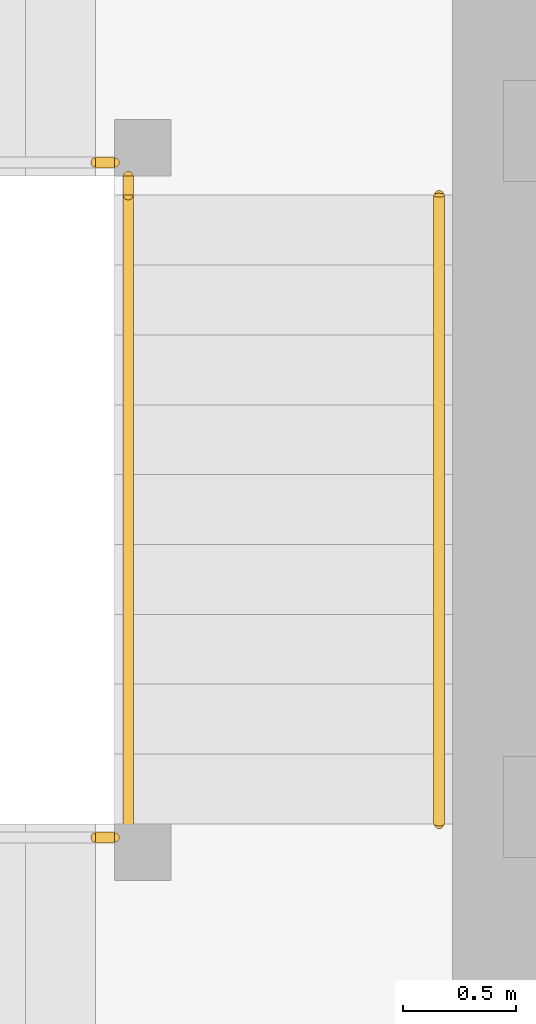
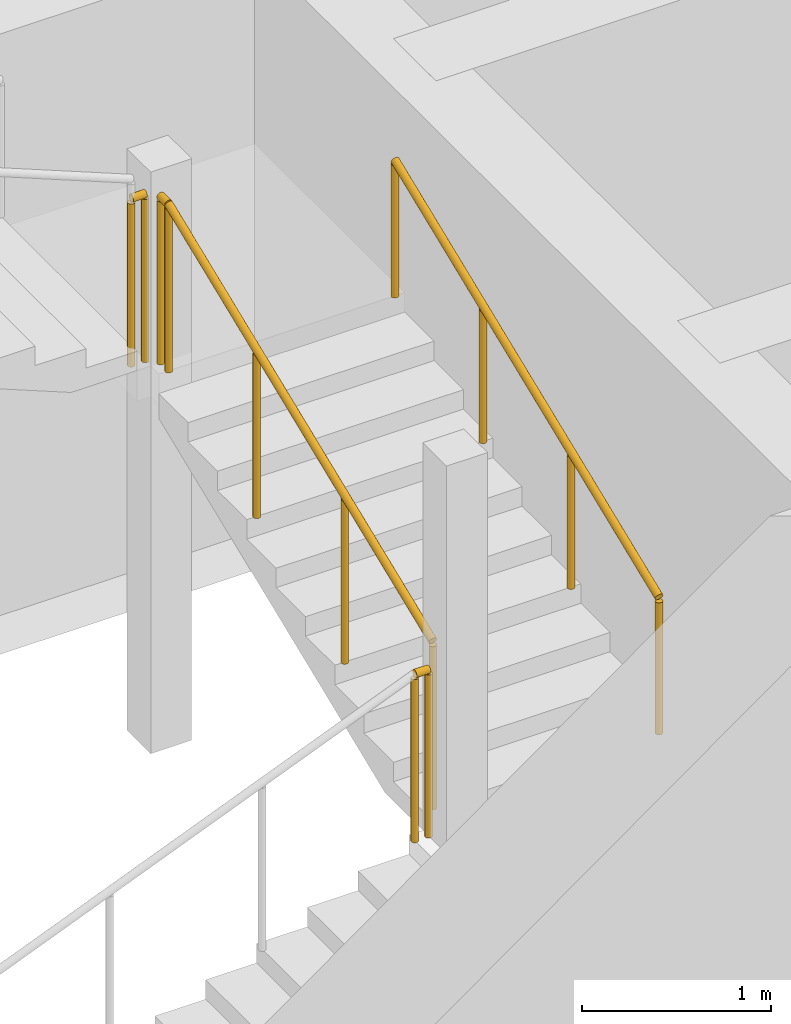
# One storey, part 31 of 36: 5 railings.
"""IFC4 building model written with IfcOpenShell, lengths in metres."""

from ifc_helpers import new_model, si_unit, direction, frame, origin, origin_2d, place, context, subcontext, project, spatial, circle, extrude, material, type_object, element, save


model = new_model("IFC4")

# Units and contexts
model_context = context("Model", 3, precision=1e-05, world=origin(), true_north=direction((0.0, 1.0)))
body_context = subcontext(model_context, "Body", "Model", "MODEL_VIEW")
ifc_project = project(units=[si_unit("LENGTHUNIT", "METRE"), si_unit("AREAUNIT", "SQUARE_METRE"), si_unit("VOLUMEUNIT", "CUBIC_METRE"), si_unit("PLANEANGLEUNIT", "RADIAN"), si_unit("MASSUNIT", "GRAM", prefix="KILO")], contexts=[model_context])

# Site, building, storey
site_placement = place(None, origin())
site = spatial("IfcSite", under=ifc_project, at=site_placement, CompositionType="ELEMENT")
building_placement = place(site_placement, origin())
building = spatial("IfcBuilding", under=site, at=building_placement, Name="Rekha Terrace Tower", CompositionType="ELEMENT")
storey_placement = place(building_placement, frame((0.0, 0.0, 172.699951171875)))
storey = spatial("IfcBuildingStorey", under=building, at=storey_placement, Name="L43", CompositionType="ELEMENT", Elevation=172.699951171875)

# Railings
ifc_material_1 = material(Name="Stainless steel balustrade", Category="steel")
railing_type_1 = type_object("IfcRailingType", Name="GR1 1100 stair guard", PredefinedType="GUARDRAIL", material=ifc_material_1)
railing_1_placement = place(storey_placement, frame((30.135009765625, 41.324951171875, 1.375)))
element("IfcRailing", 1, at=railing_1_placement, inside=storey, type_object=railing_type_1, Name="Guard ST4 L43 flight 2", PredefinedType="GUARDRAIL", context=body_context, shape_type="SweptSolid", body=[
    extrude(circle(Radius=0.02392578125, at=origin_2d()), frame((0.0, 0.0, 1.076171875), z_axis=(0.0, 0.927443287984, 0.373963831907), x_axis=(-1.0, 0.0, 0.0)), (0.0, 0.0, 1.0), 3.00830078125),
    extrude(circle(Radius=0.02099609375, at=origin_2d()), origin(), (0.0, 0.0, 1.0), 1.052001953125),
    extrude(circle(Radius=0.02099609375, at=origin_2d()), frame((0.0, 0.929931640625, 0.375)), (0.0, 0.0, 1.0), 1.052001953125),
    extrude(circle(Radius=0.02099609375, at=origin_2d()), frame((0.0, 1.860107421875, 0.75)), (0.0, 0.0, 1.0), 1.052001953125),
    extrude(circle(Radius=0.02099609375, at=origin_2d()), frame((0.0, 2.7900390625, 1.125)), (0.0, 0.0, 1.0), 1.052001953125),
])
railing_2_placement = place(storey_placement, frame((29.989990234375, 41.264892578125, 1.25)))
element("IfcRailing", 2, at=railing_2_placement, inside=storey, type_object=railing_type_1, Name="Guard ST4 L43 landing 1", PredefinedType="GUARDRAIL", context=body_context, shape_type="SweptSolid", body=[
    extrude(circle(Radius=0.02392578125, at=origin_2d()), frame((0.0, 0.0, 1.076171875), z_axis=(1.0, 0.0, 0.0), x_axis=(0.0, 1.0, 0.0)), (0.0, 0.0, 1.0), 0.0849609375),
    extrude(circle(Radius=0.02099609375, at=origin_2d()), origin(), (0.0, 0.0, 1.0), 1.052001953125),
    extrude(circle(Radius=0.02099609375, at=origin_2d()), frame((0.0849609375, 0.0, 0.0)), (0.0, 0.0, 1.0), 1.052001953125),
])
railing_3_placement = place(storey_placement, frame((30.135009765625, 44.114990234375, 2.5)))
element("IfcRailing", 3, at=railing_3_placement, inside=storey, type_object=railing_type_1, Name="Guard ST4 L43 landing 2", PredefinedType="GUARDRAIL", context=body_context, shape_type="SweptSolid", body=[
    extrude(circle(Radius=0.02392578125, at=origin_2d()), frame((0.0, 0.0, 1.076171875), z_axis=(0.0, 1.0, 0.0), x_axis=(-1.0, 0.0, 0.0)), (0.0, 0.0, 1.0), 0.0849609375),
    extrude(circle(Radius=0.02099609375, at=origin_2d()), origin(), (0.0, 0.0, 1.0), 1.052001953125),
    extrude(circle(Radius=0.02099609375, at=origin_2d()), frame((0.0, 0.0849609375, 0.0)), (0.0, 0.0, 1.0), 1.052001953125),
])
railing_4_placement = place(storey_placement, frame((29.989990234375, 44.260009765625, 2.5)))
element("IfcRailing", 4, at=railing_4_placement, inside=storey, type_object=railing_type_1, Name="Guard ST4 L43 landing 3", PredefinedType="GUARDRAIL", context=body_context, shape_type="SweptSolid", body=[
    extrude(circle(Radius=0.02392578125, at=origin_2d()), frame((0.0, 0.0, 1.076171875), z_axis=(1.0, 0.0, 0.0), x_axis=(0.0, 1.0, 0.0)), (0.0, 0.0, 1.0), 0.0849609375),
    extrude(circle(Radius=0.02099609375, at=origin_2d()), origin(), (0.0, 0.0, 1.0), 1.052001953125),
    extrude(circle(Radius=0.02099609375, at=origin_2d()), frame((0.0849609375, 0.0, 0.0)), (0.0, 0.0, 1.0), 1.052001953125),
])
ifc_material_2 = material(Name="Stainless steel tube", Category="steel")
railing_type_2 = type_object("IfcRailingType", Name="HR1 900 stair handrail", PredefinedType="HANDRAIL", material=ifc_material_2)
railing_5_placement = place(storey_placement, frame((31.514892578125, 41.324951171875, 1.375)))
element("IfcRailing", 5, at=railing_5_placement, inside=storey, type_object=railing_type_2, Name="Handrail ST4 L43 flight 2", PredefinedType="HANDRAIL", context=body_context, shape_type="SweptSolid", body=[
    extrude(circle(Radius=0.02392578125, at=origin_2d()), frame((0.0, 0.0, 0.8759765625), z_axis=(0.0, 0.927443287984, 0.373963831907), x_axis=(-1.0, 0.0, 0.0)), (0.0, 0.0, 1.0), 3.00830078125),
    extrude(circle(Radius=0.02099609375, at=origin_2d()), origin(), (0.0, 0.0, 1.0), 0.851806640625),
    extrude(circle(Radius=0.02099609375, at=origin_2d()), frame((0.0, 0.929931640625, 0.375)), (0.0, 0.0, 1.0), 0.851806640625),
    extrude(circle(Radius=0.02099609375, at=origin_2d()), frame((0.0, 1.860107421875, 0.75)), (0.0, 0.0, 1.0), 0.851806640625),
    extrude(circle(Radius=0.02099609375, at=origin_2d()), frame((0.0, 2.7900390625, 1.125)), (0.0, 0.0, 1.0), 0.851806640625),
])

save(model, "model.ifc")
